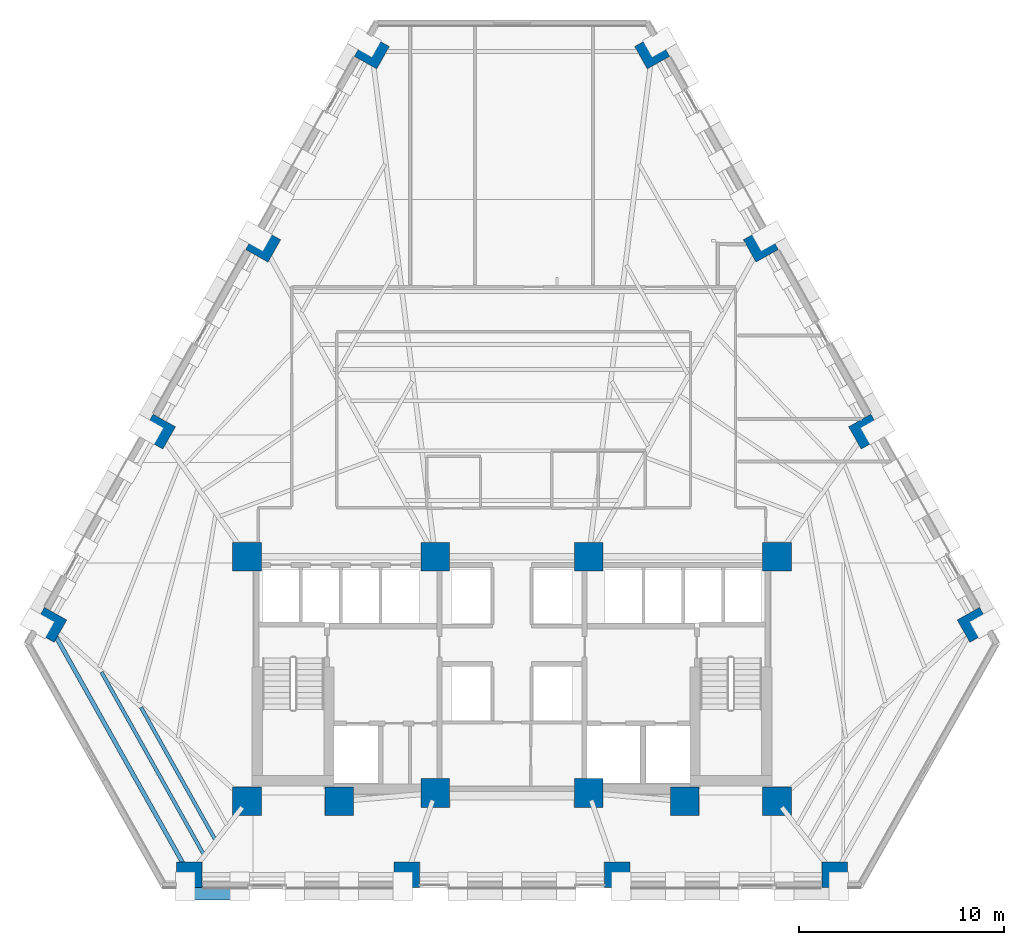
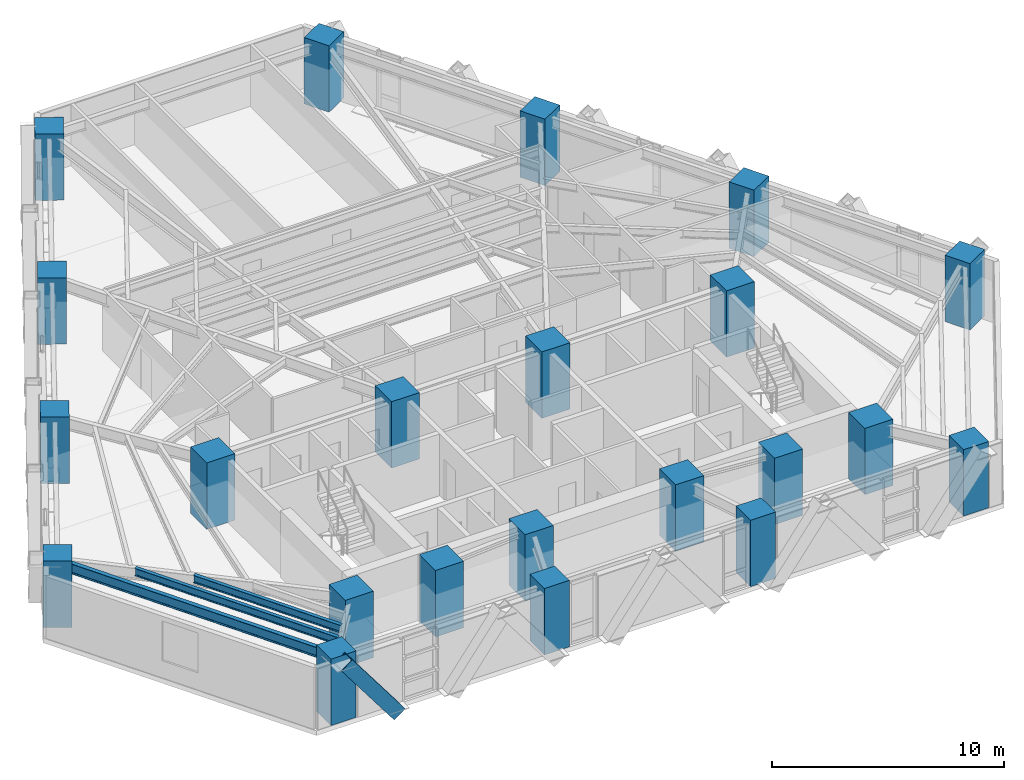
# One storey, part 1 of 13: 22 columns, 3 beams, 1 member.
"""IFC4 building model written with IfcOpenShell, lengths in metres."""

from ifc_helpers import new_model, si_unit, direction, frame, origin, origin_2d, place, context, subcontext, project, spatial, rectangle, hollow_rectangle, i_section, extrude, material, material_profile, profile_set, type_object, element, save


model = new_model("IFC4")

# Units and contexts
model_context = context("Model", 3, precision=1e-05, world=origin(), true_north=direction((0.0, 1.0)))
body_context = subcontext(model_context, "Body", "Model", "MODEL_VIEW")
ifc_project = project(units=[si_unit("LENGTHUNIT", "METRE"), si_unit("AREAUNIT", "SQUARE_METRE"), si_unit("VOLUMEUNIT", "CUBIC_METRE"), si_unit("PLANEANGLEUNIT", "RADIAN"), si_unit("MASSUNIT", "GRAM", prefix="KILO")], contexts=[model_context])

# Site, building, storey
site_placement = place(None, origin())
site = spatial("IfcSite", under=ifc_project, at=site_placement, CompositionType="ELEMENT")
building_placement = place(site_placement, origin())
building = spatial("IfcBuilding", under=site, at=building_placement, Name="Quenlor Broadcast Tower", CompositionType="ELEMENT")
storey_placement = place(building_placement, frame((0.0, 0.0, 34.60009765625)))
storey = spatial("IfcBuildingStorey", under=building, at=storey_placement, Name="L08", CompositionType="ELEMENT", Elevation=34.60009765625)

# Columns
ifc_material_1 = material(Name="Concrete C65/80", Category="concrete")
ifc_material_profile_1 = material_profile(ifc_material_1, rectangle(XDim=1.39990234375, YDim=1.39990234375, at=origin_2d()))
ifc_profile_set_1 = profile_set([ifc_material_profile_1], Name="Concrete C65/80 RC1400x1400")
column_type_1 = type_object("IfcColumnType", Name="Core Corner Column Lower Concrete C65/80 1400", PredefinedType="COLUMN", material=ifc_profile_set_1)
for number, where, z_axis, x_axis, name in (
    (1, (-12.949951171875, -16.75, 0.0), (0.0, 0.0, 1.0), (1.0, 0.0, 0.0), "L08 Core Column CC1"),
    (2, (-8.449951171875, -16.75, 0.0), (0.0, 0.0, 1.0), (1.0, 0.0, 0.0), "L08 Core Column CC2"),
    (3, (-3.75, -16.35009765625, 0.0), (0.0, 0.0, 1.0), (1.0, 0.0, 0.0), "L08 Core Column CC3"),
    (4, (3.75, -16.35009765625, 0.0), (0.0, 0.0, 1.0), (1.0, 0.0, 0.0), "L08 Core Column CC4"),
    (5, (8.449951171875, -16.75, 0.0), (0.0, 0.0, 1.0), (1.0, 0.0, 0.0), "L08 Core Column CC5"),
    (6, (12.949951171875, -16.75, 0.0), (0.0, 0.0, 1.0), (1.0, 0.0, 0.0), "L08 Core Column CC6"),
    (7, (-12.949951171875, -4.800048828125, 0.0), (0.0, 0.0, 1.0), (1.0, 0.0, 0.0), "L08 Core Column CC7"),
    (8, (-3.75, -4.800048828125, 0.0), (0.0, 0.0, 1.0), (1.0, 0.0, 0.0), "L08 Core Column CC8"),
    (9, (3.75, -4.800048828125, 0.0), (0.0, 0.0, 1.0), (1.0, 0.0, 0.0), "L08 Core Column CC9"),
    (10, (12.949951171875, -4.800048828125, 0.0), (0.0, 0.0, 1.0), (1.0, 0.0, 0.0), "L08 Core Column CC10"),
):
    element("IfcColumn", number, at=place(storey_placement, frame(where, z_axis=z_axis, x_axis=x_axis)), inside=storey, type_object=column_type_1, Name=name, PredefinedType="COLUMN", context=body_context, shape_type="SweptSolid", body=[
        extrude(rectangle(XDim=1.39990234375, YDim=1.39990234375, at=origin_2d()), origin(), (0.0, 0.0, 1.0), 3.5),
    ])
ifc_material_2 = material(Name="Concrete C65/80", Category="concrete")
ifc_material_profile_2 = material_profile(ifc_material_2, rectangle(XDim=1.25, YDim=1.25, at=origin_2d()))
ifc_profile_set_2 = profile_set([ifc_material_profile_2], Name="Concrete C65/80 RC1250x1250")
column_type_2 = type_object("IfcColumnType", Name="Tower Perimeter Column Z1 Concrete C65/80 1250", PredefinedType="COLUMN", material=ifc_profile_set_2)
for number, where, z_axis, x_axis, name in (
    (11, (-15.76513671875, -20.35009765625, 0.0), (0.0, 0.0, 1.0), (0.0, 1.0, 0.0), "L08 Perimeter Column S1"),
    (12, (-5.140869140625, -20.35009765625, 0.0), (0.0, 0.0, 1.0), (0.0, 1.0, 0.0), "L08 Perimeter Column S2"),
    (13, (5.140869140625, -20.35009765625, 0.0), (0.0, 0.0, 1.0), (0.0, 1.0, 0.0), "L08 Perimeter Column S3"),
    (14, (15.76513671875, -20.35009765625, 0.0), (0.0, 0.0, 1.0), (0.0, 1.0, 0.0), "L08 Perimeter Column S4"),
    (15, (22.6162109375, -8.132080078125, 0.0), (0.0, 0.0, 1.0), (0.871575139605, 0.490261946333, 0.0), "L08 Perimeter Column NE1"),
    (16, (17.303955078125, 1.311767578125, 0.0), (0.0, 0.0, 1.0), (0.871575139605, 0.490261946333, 0.0), "L08 Perimeter Column NE2"),
    (17, (12.1630859375, 10.450927734375, 0.0), (0.0, 0.0, 1.0), (0.871575139605, 0.490261946333, 0.0), "L08 Perimeter Column NE3"),
    (18, (6.850830078125, 19.894775390625, 0.0), (0.0, 0.0, 1.0), (0.871575139605, 0.490261946333, 0.0), "L08 Perimeter Column NE4"),
    (19, (-6.850830078125, 19.894775390625, 0.0), (0.0, 0.0, 1.0), (-0.871575139605, 0.490261946333, 0.0), "L08 Perimeter Column NW1"),
    (20, (-12.1630859375, 10.450927734375, 0.0), (0.0, 0.0, 1.0), (-0.871575139605, 0.490261946333, 0.0), "L08 Perimeter Column NW2"),
    (21, (-17.303955078125, 1.311767578125, 0.0), (0.0, 0.0, 1.0), (-0.871575139605, 0.490261946333, 0.0), "L08 Perimeter Column NW3"),
    (22, (-22.6162109375, -8.132080078125, 0.0), (0.0, 0.0, 1.0), (-0.871575139605, 0.490261946333, 0.0), "L08 Perimeter Column NW4"),
):
    element("IfcColumn", number, at=place(storey_placement, frame(where, z_axis=z_axis, x_axis=x_axis)), inside=storey, type_object=column_type_2, Name=name, PredefinedType="COLUMN", context=body_context, shape_type="SweptSolid", body=[
        extrude(rectangle(XDim=1.25, YDim=1.25, at=origin_2d()), origin(), (0.0, 0.0, 1.0), 3.5),
    ])

# Member
ifc_material_3 = material(Name="Steel S355", Category="steel")
ifc_material_profile_3 = material_profile(ifc_material_3, hollow_rectangle(XDim=0.679931640625, YDim=0.679931640625, WallThickness=0.034912109375, at=origin_2d()))
ifc_profile_set_3 = profile_set([ifc_material_profile_3], Name="Steel S355 RHS680x680x35")
member_type = type_object("IfcMemberType", Name="Perimeter Diagonal Lattice Brace Z1 Steel S355 RHS680x35", PredefinedType="BRACE", material=ifc_profile_set_3)
member_placement = place(storey_placement, frame((-13.31689453125, -21.235107421875, -0.1201171875), z_axis=(-0.600463982679, 0.0, 0.799651802665), x_axis=(0.0, -1.0, 0.0)))
element("IfcMember", 23, at=member_placement, inside=storey, type_object=member_type, Name="L08 Perimeter Diamond Lattice S-C4S", PredefinedType="BRACE", context=body_context, shape_type="SweptSolid", body=[
    extrude(hollow_rectangle(XDim=0.679931640625, YDim=0.679931640625, WallThickness=0.034912109375, at=origin_2d()), origin(), (0.0, 0.0, 1.0), 4.376953125),
])

# Beams
ifc_material_4 = material(Name="Steel S355", Category="steel")
ifc_material_profile_4 = material_profile(ifc_material_4, i_section(OverallWidth=0.208984375, OverallDepth=0.532958984375, WebThickness=0.01025390625, FlangeThickness=0.015625, FilletRadius=0.013916015625, at=origin_2d()))
ifc_profile_set_4 = profile_set([ifc_material_profile_4], Name="Steel S355 530UB92.4")
beam_type_1 = type_object("IfcBeamType", Name="Perimeter Spandrel Beam Z1 Steel S355 530UB92.4", PredefinedType="SPANDREL", material=ifc_profile_set_4)
beam_1_placement = place(storey_placement, frame((-22.41552734375, -8.48974609375, 2.9833984375), z_axis=(0.489090917871, -0.87223280955, 0.0), x_axis=(0.87223280955, 0.489090917871, 0.0)))
element("IfcBeam", 24, at=beam_1_placement, inside=storey, type_object=beam_type_1, Name="L08 Spandrel Beam NW4-S1", PredefinedType="SPANDREL", context=body_context, shape_type="SweptSolid", body=[
    extrude(i_section(OverallWidth=0.208984375, OverallDepth=0.532958984375, WebThickness=0.01025390625, FlangeThickness=0.015625, FilletRadius=0.013916015625, at=origin_2d()), origin(), (0.0, 0.0, 1.0), 13.187744140625),
])
ifc_material_5 = material(Name="Steel S355", Category="steel")
ifc_material_profile_5 = material_profile(ifc_material_5, i_section(OverallWidth=0.177978515625, OverallDepth=0.406494140625, WebThickness=0.0078125, FlangeThickness=0.0126953125, FilletRadius=0.011474609375, at=origin_2d()))
ifc_profile_set_5 = profile_set([ifc_material_profile_5], Name="Steel S355 410UB59.7")
beam_type_2 = type_object("IfcBeamType", Name="Tower Composite Joist Z1 Steel S355 410UB59.7", PredefinedType="JOIST", material=ifc_profile_set_5)
beam_2_placement = place(storey_placement, frame((-14.50927734375, -18.624267578125, 3.046630859375), z_axis=(-0.489088249322, 0.872234305892, 0.0), x_axis=(-0.872234305892, -0.489088249322, 0.0)))
element("IfcBeam", 25, at=beam_2_placement, inside=storey, type_object=beam_type_2, Name="L08 Secondary Composite Joist 20", PredefinedType="JOIST", context=body_context, shape_type="SweptSolid", body=[
    extrude(i_section(OverallWidth=0.177978515625, OverallDepth=0.406494140625, WebThickness=0.0078125, FlangeThickness=0.0126953125, FilletRadius=0.011474609375, at=origin_2d()), origin(), (0.0, 0.0, 1.0), 7.404296875),
])
beam_3_placement = place(storey_placement, frame((-15.072265625, -19.34423828125, 3.046630859375), z_axis=(-0.489081877778, 0.872237878579, 0.0), x_axis=(-0.872237878579, -0.489081877778, 0.0)))
element("IfcBeam", 26, at=beam_3_placement, inside=storey, type_object=beam_type_2, Name="L08 Secondary Composite Joist 21", PredefinedType="JOIST", context=body_context, shape_type="SweptSolid", body=[
    extrude(i_section(OverallWidth=0.177978515625, OverallDepth=0.406494140625, WebThickness=0.0078125, FlangeThickness=0.0126953125, FilletRadius=0.011474609375, at=origin_2d()), origin(), (0.0, 0.0, 1.0), 10.205810546875),
])

save(model, "model.ifc")
